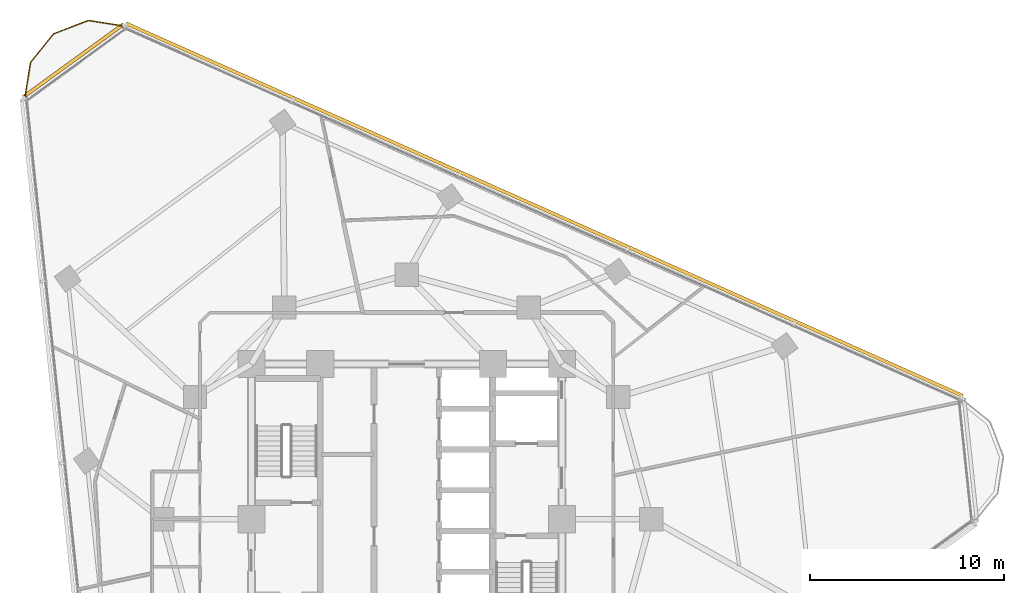
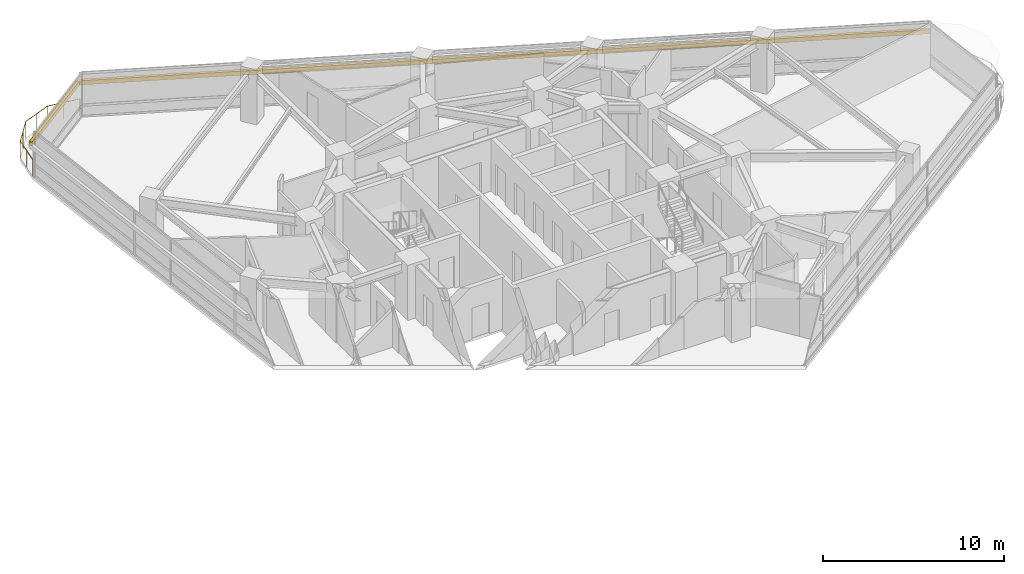
# One storey, part 14 of 14: 2 shading devices, 1 railing.
"""IFC4 building model written with IfcOpenShell, lengths in metres."""

from ifc_helpers import new_model, si_unit, direction, frame, origin, origin_2d, place, context, subcontext, project, spatial, rectangle, circle, extrude, material, layer, layer_set, type_object, element, save


model = new_model("IFC4")

# Units and contexts
model_context = context("Model", 3, precision=1e-05, world=origin(), true_north=direction((0.0, 1.0)))
body_context = subcontext(model_context, "Body", "Model", "MODEL_VIEW")
ifc_project = project(units=[si_unit("LENGTHUNIT", "METRE"), si_unit("AREAUNIT", "SQUARE_METRE"), si_unit("VOLUMEUNIT", "CUBIC_METRE"), si_unit("PLANEANGLEUNIT", "RADIAN"), si_unit("MASSUNIT", "GRAM", prefix="KILO")], contexts=[model_context])

# Site, building, storey
site_placement = place(None, origin())
site = spatial("IfcSite", under=ifc_project, at=site_placement, CompositionType="ELEMENT")
building_placement = place(site_placement, origin())
building = spatial("IfcBuilding", under=site, at=building_placement, Name="Terralouvre Media Tower", CompositionType="ELEMENT")
storey_placement = place(building_placement, frame((0.0, 0.0, 169.39990234375)))
storey = spatial("IfcBuildingStorey", under=building, at=storey_placement, Name="L43", CompositionType="ELEMENT", Elevation=169.39990234375)

# Railing
ifc_material_1 = material(Name="Stainless steel 316 handrail and balustrade", Category="steel")
ifc_layer = layer(ifc_material_1, 0.06005859375, Name="Roof Edge Safety Guardrail GR-ROOF1")
ifc_layer_set = layer_set([ifc_layer], Name="Stainless steel 316 handrail and balustrade")
railing_type = type_object("IfcRailingType", Name="Roof Edge Safety Guardrail GR-ROOF1", PredefinedType="GUARDRAIL", material=ifc_layer_set)
railing_placement = place(storey_placement, frame((-14.50537109375, 25.41357421875, 0.0)))
element("IfcRailing", 1, at=railing_placement, inside=storey, type_object=railing_type, Name="L43 Wind-Corner Perimeter Safety Guardrail C2", PredefinedType="GUARDRAIL", context=body_context, shape_type="SweptSolid", body=[
    extrude(circle(Radius=0.02099609375, at=origin_2d()), frame((0.0, 0.0, 1.12890625), z_axis=(-0.987645867018, 0.156702397439, 0.0), x_axis=(-0.156702397439, -0.987645867018, 0.0)), (0.0, 0.0, 1.0), 1.914794921875),
    extrude(circle(Radius=0.02099609375, at=origin_2d()), frame((-1.89111328125, 0.300048828125, 1.12890625), z_axis=(-0.933575508152, -0.358380762009, 0.0), x_axis=(0.358380762009, -0.933575508152, 0.0)), (0.0, 0.0, 1.0), 1.914306640625),
    extrude(circle(Radius=0.02099609375, at=origin_2d()), frame((-3.67822265625, -0.385986328125, 1.12890625), z_axis=(-0.629256927844, -0.777197348658, 0.0), x_axis=(0.777197348658, -0.629256927844, 0.0)), (0.0, 0.0, 1.0), 1.914306640625),
    extrude(circle(Radius=0.02099609375, at=origin_2d()), frame((-4.8828125, -1.873779296875, 1.12890625), z_axis=(-0.156204845685, -0.987724681369, 0.0), x_axis=(0.987724681369, -0.156204845685, 0.0)), (0.0, 0.0, 1.0), 1.91455078125),
    extrude(circle(Radius=0.01904296875, at=origin_2d()), origin(), (0.0, 0.0, 1.0), 1.10791015625),
    extrude(circle(Radius=0.01904296875, at=origin_2d()), frame((-0.945556640625, 0.14990234375, 0.0)), (0.0, 0.0, 1.0), 1.10791015625),
    extrude(circle(Radius=0.01904296875, at=origin_2d()), frame((-1.89111328125, 0.300048828125, 0.0)), (0.0, 0.0, 1.0), 1.10791015625),
    extrude(circle(Radius=0.01904296875, at=origin_2d()), frame((-2.78466796875, -0.04296875, 0.0)), (0.0, 0.0, 1.0), 1.10791015625),
    extrude(circle(Radius=0.01904296875, at=origin_2d()), frame((-3.67822265625, -0.385986328125, 0.0)), (0.0, 0.0, 1.0), 1.10791015625),
    extrude(circle(Radius=0.01904296875, at=origin_2d()), frame((-4.280517578125, -1.1298828125, 0.0)), (0.0, 0.0, 1.0), 1.10791015625),
    extrude(circle(Radius=0.01904296875, at=origin_2d()), frame((-4.8828125, -1.873779296875, 0.0)), (0.0, 0.0, 1.0), 1.10791015625),
    extrude(circle(Radius=0.01904296875, at=origin_2d()), frame((-5.0322265625, -2.8193359375, 0.0)), (0.0, 0.0, 1.0), 1.10791015625),
    extrude(circle(Radius=0.01904296875, at=origin_2d()), frame((-5.181884765625, -3.764892578125, 0.0)), (0.0, 0.0, 1.0), 1.10791015625),
])

# Shading devices
ifc_material_2 = material(Name="Extruded terracotta baguette sunshade louvres", Category="masonry")
shading_device_type = type_object("IfcShadingDeviceType", Name="Terracotta Baguette Sunshade Louvre Screen TB-LV1", PredefinedType="USERDEFINED", material=ifc_material_2)
shading_device_1_placement = place(storey_placement, frame((7.103759765625, 15.95556640625, 2.02392578125), z_axis=(0.0, 0.0, 1.0), x_axis=(-0.913545469547, 0.406736616337, 0.0)))
element("IfcShadingDevice", 2, at=shading_device_1_placement, inside=storey, type_object=shading_device_type, Name="CW-L43-F1 Terracotta Baguette Sunshade Louvre", ObjectType="BAGUETTE", PredefinedType="USERDEFINED", context=body_context, shape_type="SweptSolid", body=[
    extrude(rectangle(XDim=47.199951171875, YDim=0.179931640625, at=origin_2d()), origin(), (0.0, 0.0, 1.0), 0.280029296875),
])
shading_device_2_placement = place(storey_placement, frame((-17.175537109375, 23.64013671875, 2.02392578125), z_axis=(0.0, 0.0, 1.0), x_axis=(-0.809017438344, -0.587784641221, 0.0)))
element("IfcShadingDevice", 3, at=shading_device_2_placement, inside=storey, type_object=shading_device_type, Name="CW-L43-C2 Terracotta Baguette Sunshade Louvre", ObjectType="BAGUETTE", PredefinedType="USERDEFINED", context=body_context, shape_type="SweptSolid", body=[
    extrude(rectangle(XDim=6.40869140625, YDim=0.179931640625, at=origin_2d()), origin(), (0.0, 0.0, 1.0), 0.280029296875),
])

save(model, "model.ifc")
